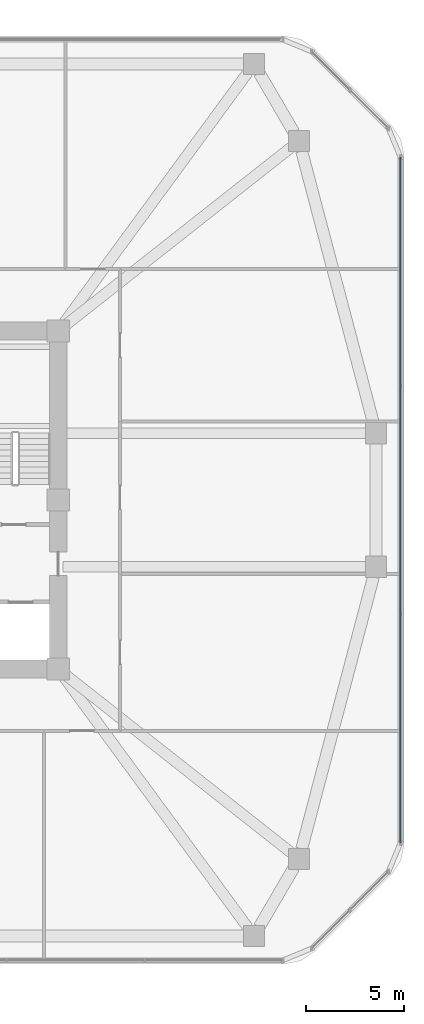
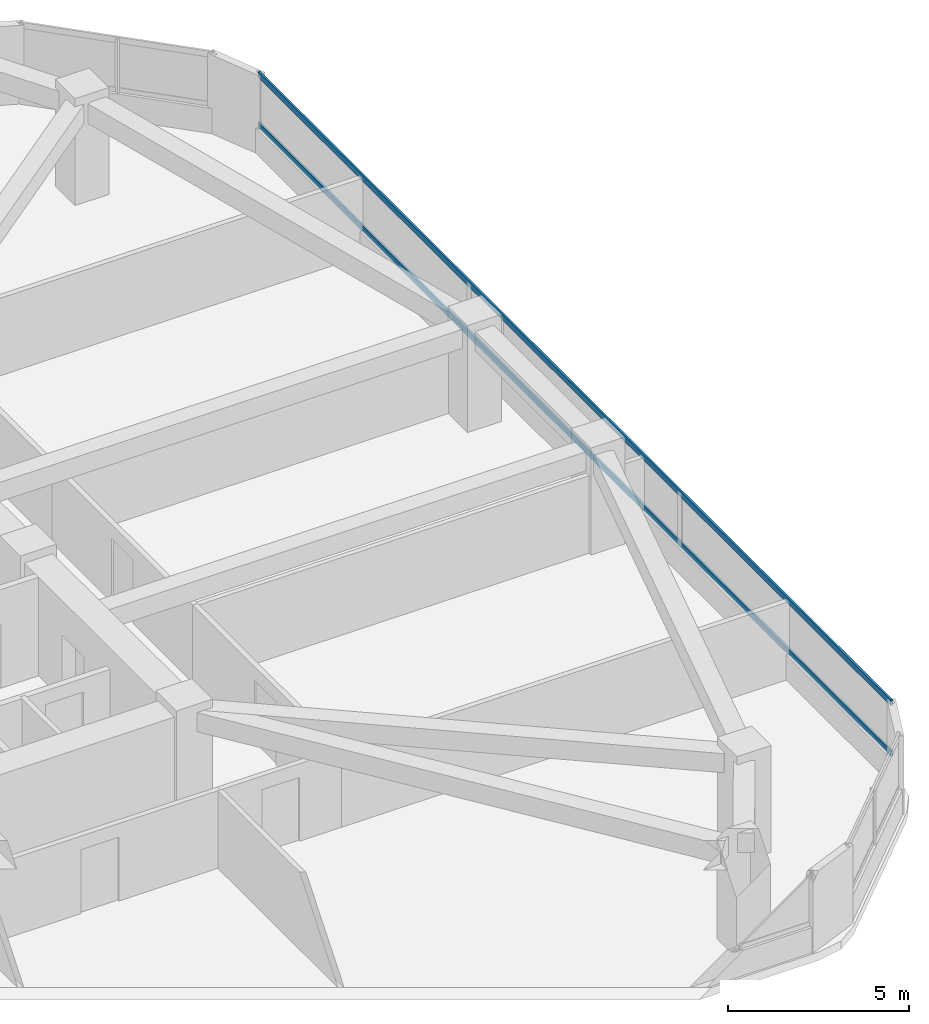
# One storey, part 4 of 13: 2 members, 1 element without a shape of its own.
"""IFC4 building model written with IfcOpenShell, lengths in metres."""

from ifc_helpers import new_model, si_unit, derived_unit, direction, frame, origin, origin_2d, place, context, subcontext, project, spatial, rectangle, extrude, material, material_profile, profile_set, type_object, element, aggregate, save


model = new_model("IFC4")

# Units and contexts
model_context = context("Model", 3, precision=1e-05, world=origin(), true_north=direction((0.0, 1.0)))
body_context = subcontext(model_context, "Body", "Model", "MODEL_VIEW")
ifc_project = project(units=[si_unit("LENGTHUNIT", "METRE"), si_unit("AREAUNIT", "SQUARE_METRE"), si_unit("VOLUMEUNIT", "CUBIC_METRE"), si_unit("PLANEANGLEUNIT", "RADIAN"), si_unit("MASSUNIT", "GRAM", prefix="KILO"), derived_unit("THERMALTRANSMITTANCEUNIT", [(si_unit("POWERUNIT", "WATT"), 1), (si_unit("LENGTHUNIT", "METRE"), -2), (si_unit("THERMODYNAMICTEMPERATUREUNIT", "KELVIN"), -1)])], contexts=[model_context])

# Site, building, storey
site_placement = place(None, origin())
site = spatial("IfcSite", under=ifc_project, at=site_placement, CompositionType="ELEMENT")
building_placement = place(site_placement, origin())
building = spatial("IfcBuilding", under=site, at=building_placement, Name="Koralith Skygarden Medical Center", CompositionType="ELEMENT")
storey_placement = place(building_placement, frame((0.0, 0.0, 49.139892578125)))
storey = spatial("IfcBuildingStorey", under=building, at=storey_placement, Name="L12", CompositionType="ELEMENT", Elevation=49.139892578125)

# Curtain wall, members
ifc_material_1 = material(Name="Clear Laminated Glass", Category="glass")
curtain_wall_type = type_object("IfcCurtainWallType", Name="CW-2 Zone 1 Hurricane Unitised Curtain Wall", PredefinedType="NOTDEFINED", material=ifc_material_1)
curtain_wall_placement = place(storey_placement, origin())
curtain_wall = element("IfcCurtainWall", 1, at=curtain_wall_placement, inside=storey, type_object=curtain_wall_type, Name="Curtain Wall CW-L12-E", PredefinedType="NOTDEFINED")
ifc_material_2 = material(Name="Aluminium 6063-T6", Category="aluminium")
ifc_material_profile = material_profile(ifc_material_2, rectangle(XDim=0.06591796875, YDim=0.197998046875, at=origin_2d()), Name="TRN66X198")
ifc_profile_set = profile_set([ifc_material_profile], Name="Aluminium 6063-T6")
member_type = type_object("IfcMemberType", Name="CW-2 Thermal Transom 66x198", PredefinedType="USERDEFINED", material=ifc_profile_set)
member_1_placement = place(storey_placement, frame((65.6201171875, 8.455078125, 0.900146484375), z_axis=(0.0, 1.0, 0.0), x_axis=(-1.0, 0.0, 0.0)))
member_1 = element("IfcMember", 2, at=member_1_placement, type_object=member_type, Name="CW-L12-E Transom 1", ObjectType="TRANSOM", PredefinedType="USERDEFINED", context=body_context, shape_type="SweptSolid", body=[
    extrude(rectangle(XDim=0.06591796875, YDim=0.197998046875, at=origin_2d()), origin(), (0.0, 0.0, 1.0), 34.889892578125),
])
member_2_placement = place(storey_placement, frame((65.6201171875, 8.455078125, 2.60009765625), z_axis=(0.0, 1.0, 0.0), x_axis=(-1.0, 0.0, 0.0)))
member_2 = element("IfcMember", 3, at=member_2_placement, type_object=member_type, Name="CW-L12-E Transom 2", ObjectType="TRANSOM", PredefinedType="USERDEFINED", context=body_context, shape_type="SweptSolid", body=[
    extrude(rectangle(XDim=0.06591796875, YDim=0.197998046875, at=origin_2d()), origin(), (0.0, 0.0, 1.0), 34.889892578125),
])
aggregate(curtain_wall, [member_1, member_2])

save(model, "model.ifc")
